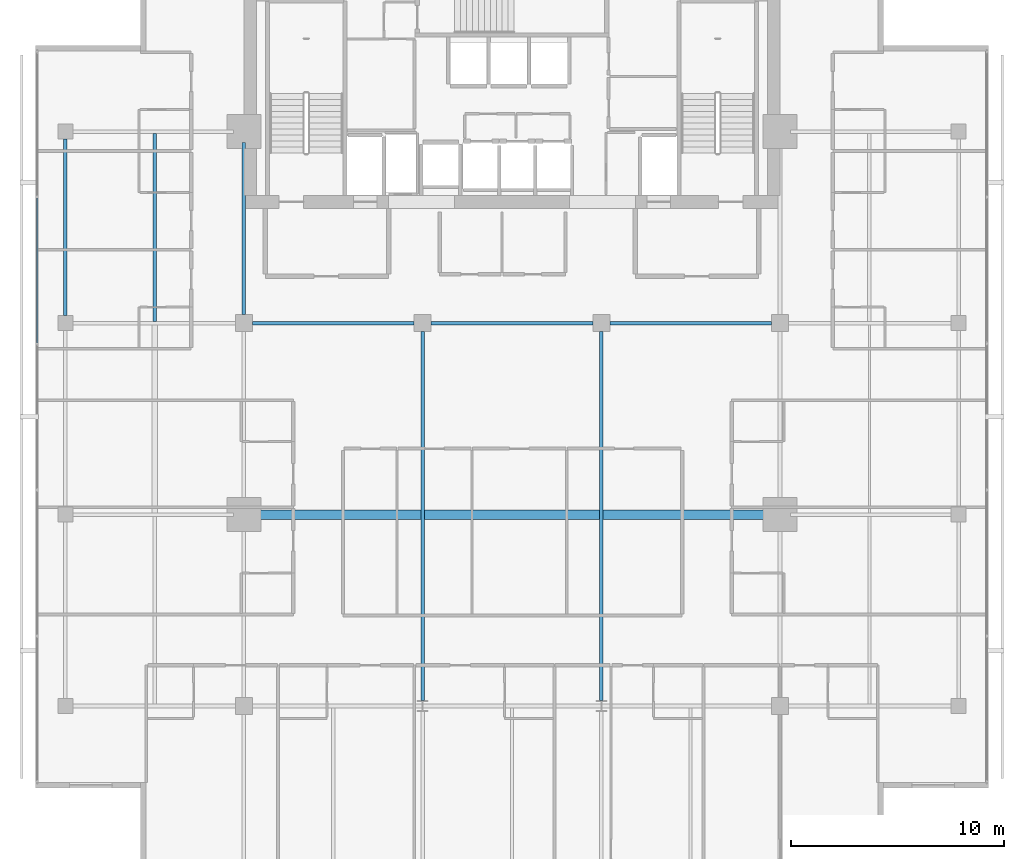
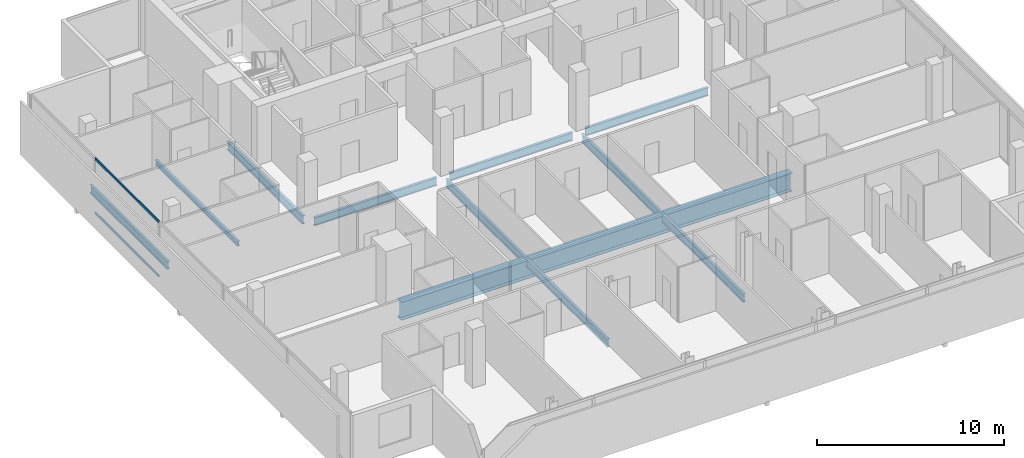
# One storey, part 9 of 26: 9 beams, 2 members, 1 element without a shape of its own.
"""IFC4 building model written with IfcOpenShell, lengths in metres."""

from ifc_helpers import new_model, si_unit, direction, frame, origin, origin_2d, place, context, subcontext, project, spatial, hollow_rectangle, i_section, extrude, material, layer, layer_set, material_profile, profile_set, type_object, element, aggregate, save


model = new_model("IFC4")

# Units and contexts
model_context = context("Model", 3, precision=1e-05, world=origin(), true_north=direction((0.0, 1.0)))
body_context = subcontext(model_context, "Body", "Model", "MODEL_VIEW")
ifc_project = project(units=[si_unit("LENGTHUNIT", "METRE"), si_unit("AREAUNIT", "SQUARE_METRE"), si_unit("VOLUMEUNIT", "CUBIC_METRE"), si_unit("PLANEANGLEUNIT", "RADIAN"), si_unit("MASSUNIT", "GRAM", prefix="KILO")], contexts=[model_context])

# Site, building, storey
site_placement = place(None, origin())
site = spatial("IfcSite", under=ifc_project, at=site_placement, CompositionType="ELEMENT")
building_placement = place(site_placement, origin())
building = spatial("IfcBuilding", under=site, at=building_placement, Name="Maruvema Waterfront Hotel and Observation Tower", CompositionType="ELEMENT")
storey_placement = place(building_placement, frame((0.0, 0.0, 289.449951171875)))
storey = spatial("IfcBuildingStorey", under=building, at=storey_placement, Name="L71", CompositionType="ELEMENT", Elevation=289.449951171875)

# Curtain wall, members
ifc_material_1 = material(Name="Anodised bronze aluminium and solar-control low-E IGU", Category="aluminium")
ifc_layer = layer(ifc_material_1, 0.159912109375, Name="Zone 3 Champagne Inner Thermal Curtain Wall System CW-04")
ifc_layer_set = layer_set([ifc_layer], Name="Anodised bronze aluminium and solar-control low-E IGU")
curtain_wall_type = type_object("IfcCurtainWallType", Name="Zone 3 Champagne Inner Thermal Curtain Wall System CW-04", PredefinedType="USERDEFINED", material=ifc_layer_set)
curtain_wall_placement = place(storey_placement, origin())
curtain_wall = element("IfcCurtainWall", 1, at=curtain_wall_placement, inside=storey, type_object=curtain_wall_type, Name="L71 Curtain Wall CW-L71-W", ObjectType="UNITISED CURTAIN WALL", PredefinedType="USERDEFINED")
ifc_material_2 = material(Name="Anodised architectural bronze aluminium", Category="aluminium")
ifc_material_profile_1 = material_profile(ifc_material_2, hollow_rectangle(XDim=0.070068359375, YDim=0.14990234375, WallThickness=0.00390625, at=origin_2d()), Name="ALU-T70x150")
ifc_profile_set_1 = profile_set([ifc_material_profile_1], Name="Anodised architectural bronze aluminium")
member_type = type_object("IfcMemberType", Name="Curtain Wall Horizontal Transom ALU-T70x150", PredefinedType="USERDEFINED", material=ifc_profile_set_1)
member_1_placement = place(storey_placement, frame((15.47998046875, 41.889892578125, 0.030029296875), z_axis=(0.0, -1.0, 0.0), x_axis=(1.0, 0.0, 0.0)))
member_1 = element("IfcMember", 2, at=member_1_placement, type_object=member_type, Name="CW-04 transom 2.1", ObjectType="TRANSOM", PredefinedType="USERDEFINED", context=body_context, shape_type="SweptSolid", body=[
    extrude(hollow_rectangle(XDim=0.070068359375, YDim=0.14990234375, WallThickness=0.00390625, at=origin_2d()), origin(), (0.0, 0.0, 1.0), 6.81982421875),
])
member_2_placement = place(storey_placement, frame((15.47998046875, 41.889892578125, 3.580078125), z_axis=(0.0, -1.0, 0.0), x_axis=(1.0, 0.0, 0.0)))
member_2 = element("IfcMember", 3, at=member_2_placement, type_object=member_type, Name="CW-04 transom 2.2", ObjectType="TRANSOM", PredefinedType="USERDEFINED", context=body_context, shape_type="SweptSolid", body=[
    extrude(hollow_rectangle(XDim=0.070068359375, YDim=0.14990234375, WallThickness=0.00390625, at=origin_2d()), origin(), (0.0, 0.0, 1.0), 6.81982421875),
])
aggregate(curtain_wall, [member_1, member_2])

# Beams
ifc_material_3 = material(Name="Steel ASTM A572 Grade 50", Category="steel")
ifc_material_profile_2 = material_profile(ifc_material_3, i_section(OverallWidth=0.166015625, OverallDepth=0.529052734375, WebThickness=0.009765625, FlangeThickness=0.013671875, FilletRadius=0.014892578125, at=origin_2d()), Name="W530x74.0")
ifc_profile_set_2 = profile_set([ifc_material_profile_2], Name="Steel ASTM A572 Grade 50")
beam_type_1 = type_object("IfcBeamType", Name="Primary Floor Girder W530x74.0", PredefinedType="BEAM", material=ifc_profile_set_2)
beam_1_placement = place(storey_placement, frame((25.60009765625, 36.0, -0.50439453125), z_axis=(1.0, 0.0, 0.0), x_axis=(0.0, 1.0, 0.0)))
element("IfcBeam", 4, at=beam_1_placement, inside=storey, type_object=beam_type_1, Name="L71 Floor Girder EW-13", PredefinedType="BEAM", context=body_context, shape_type="SweptSolid", body=[
    extrude(i_section(OverallWidth=0.166015625, OverallDepth=0.529052734375, WebThickness=0.009765625, FlangeThickness=0.013671875, FilletRadius=0.014892578125, at=origin_2d()), origin(), (0.0, 0.0, 1.0), 7.599853515625),
])
for number, where, z_axis, x_axis, name in (
    (5, (34.0, 36.0, -0.50439453125), (1.0, 0.0, 0.0), (0.0, 1.0, 0.0), "L71 Floor Girder EW-14"),
    (6, (42.39990234375, 36.0, -0.50439453125), (1.0, 0.0, 0.0), (0.0, 1.0, 0.0), "L71 Floor Girder EW-15"),
):
    element("IfcBeam", number, at=place(storey_placement, frame(where, z_axis=z_axis, x_axis=x_axis)), inside=storey, type_object=beam_type_1, Name=name, PredefinedType="BEAM", context=body_context, shape_type="SweptSolid", body=[
        extrude(i_section(OverallWidth=0.166015625, OverallDepth=0.529052734375, WebThickness=0.009765625, FlangeThickness=0.013671875, FilletRadius=0.014892578125, at=origin_2d()), origin(), (0.0, 0.0, 1.0), 7.60009765625),
    ])
beam_2_placement = place(storey_placement, frame((16.800048828125, 36.35009765625, -0.50439453125), z_axis=(0.0, 1.0, 0.0), x_axis=(-1.0, 0.0, 0.0)))
element("IfcBeam", 7, at=beam_2_placement, inside=storey, type_object=beam_type_1, Name="L71 Floor Girder NS-03", PredefinedType="BEAM", context=body_context, shape_type="SweptSolid", body=[
    extrude(i_section(OverallWidth=0.166015625, OverallDepth=0.529052734375, WebThickness=0.009765625, FlangeThickness=0.013671875, FilletRadius=0.014892578125, at=origin_2d()), origin(), (0.0, 0.0, 1.0), 8.2998046875),
])
beam_3_placement = place(storey_placement, frame((25.199951171875, 36.39990234375, -0.50439453125), z_axis=(0.0, 1.0, 0.0), x_axis=(-1.0, 0.0, 0.0)))
element("IfcBeam", 8, at=beam_3_placement, inside=storey, type_object=beam_type_1, Name="L71 Floor Girder NS-07", PredefinedType="BEAM", context=body_context, shape_type="SweptSolid", body=[
    extrude(i_section(OverallWidth=0.166015625, OverallDepth=0.529052734375, WebThickness=0.009765625, FlangeThickness=0.013671875, FilletRadius=0.014892578125, at=origin_2d()), origin(), (0.0, 0.0, 1.0), 8.10009765625),
])
for number, where, z_axis, x_axis, name in (
    (9, (33.60009765625, 18.25, -0.50439453125), (0.0, 1.0, 0.0), (-1.0, 0.0, 0.0), "L71 Floor Girder NS-09"),
    (10, (42.0, 18.25, -0.50439453125), (0.0, 1.0, 0.0), (-1.0, 0.0, 0.0), "L71 Floor Girder NS-11"),
):
    element("IfcBeam", number, at=place(storey_placement, frame(where, z_axis=z_axis, x_axis=x_axis)), inside=storey, type_object=beam_type_1, Name=name, PredefinedType="BEAM", context=body_context, shape_type="SweptSolid", body=[
        extrude(i_section(OverallWidth=0.166015625, OverallDepth=0.529052734375, WebThickness=0.009765625, FlangeThickness=0.013671875, FilletRadius=0.014892578125, at=origin_2d()), origin(), (0.0, 0.0, 1.0), 17.35009765625),
    ])
ifc_material_4 = material(Name="Steel ASTM A572 Grade 50", Category="steel")
ifc_material_profile_3 = material_profile(ifc_material_4, i_section(OverallWidth=0.1669921875, OverallDepth=0.31689453125, WebThickness=0.007568359375, FlangeThickness=0.01318359375, FilletRadius=0.012939453125, at=origin_2d()), Name="W310x52.0")
ifc_profile_set_3 = profile_set([ifc_material_profile_3], Name="Steel ASTM A572 Grade 50")
beam_type_2 = type_object("IfcBeamType", Name="Secondary Floor Joist W310x52.0", PredefinedType="JOIST", material=ifc_profile_set_3)
beam_4_placement = place(storey_placement, frame((21.0, 36.0830078125, -0.3984375), z_axis=(0.0, 1.0, 0.0), x_axis=(-1.0, 0.0, 0.0)))
element("IfcBeam", 11, at=beam_4_placement, inside=storey, type_object=beam_type_2, Name="L71 Secondary Floor Joist JS-03", PredefinedType="JOIST", context=body_context, shape_type="SweptSolid", body=[
    extrude(i_section(OverallWidth=0.1669921875, OverallDepth=0.31689453125, WebThickness=0.007568359375, FlangeThickness=0.01318359375, FilletRadius=0.012939453125, at=origin_2d()), origin(), (0.0, 0.0, 1.0), 8.833984375),
])
ifc_material_5 = material(Name="Steel ABNT NBR 7007 AR 415 (ASTM A572 Grade 50)", Category="steel")
ifc_material_profile_4 = material_profile(ifc_material_5, i_section(OverallWidth=0.449951171875, OverallDepth=1.199951171875, WebThickness=0.01904296875, FlangeThickness=0.031982421875, at=origin_2d()), Name="VS1200x366")
ifc_profile_set_4 = profile_set([ifc_material_profile_4], Name="Steel ABNT NBR 7007 AR 415 (ASTM A572 Grade 50)")
beam_type_3 = type_object("IfcBeamType", Name="Upper Setback Transfer Girder VS1200x366", PredefinedType="USERDEFINED", material=ifc_profile_set_4)
beam_5_placement = place(storey_placement, frame((25.699951171875, 27.0, -0.83984375), z_axis=(1.0, 0.0, 0.0), x_axis=(0.0, 1.0, 0.0)))
element("IfcBeam", 12, at=beam_5_placement, inside=storey, type_object=beam_type_3, Name="L71 Floor Girder EW-10", ObjectType="TRANSFER GIRDER", PredefinedType="USERDEFINED", context=body_context, shape_type="SweptSolid", body=[
    extrude(i_section(OverallWidth=0.449951171875, OverallDepth=1.199951171875, WebThickness=0.01904296875, FlangeThickness=0.031982421875, at=origin_2d()), origin(), (0.0, 0.0, 1.0), 24.199951171875),
])

save(model, "model.ifc")
